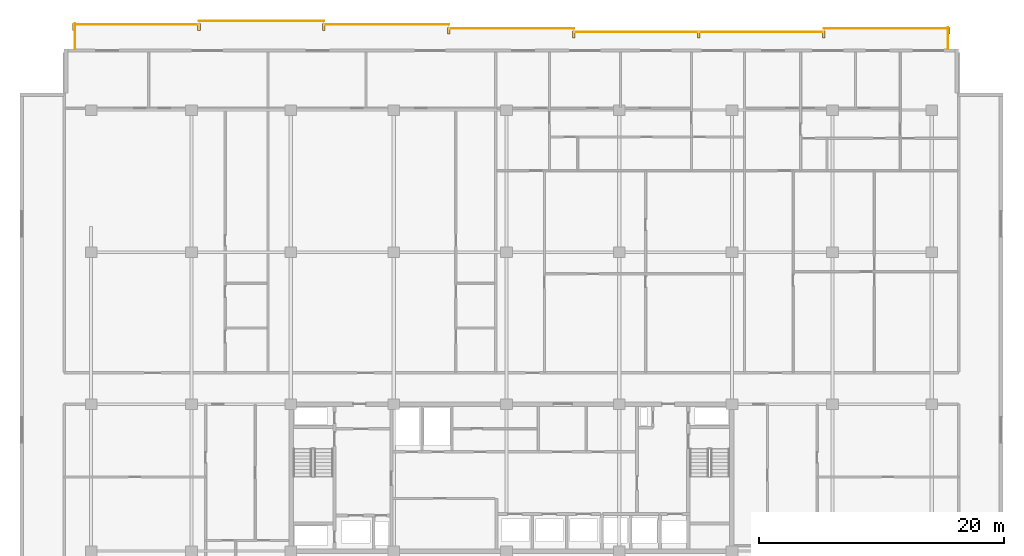
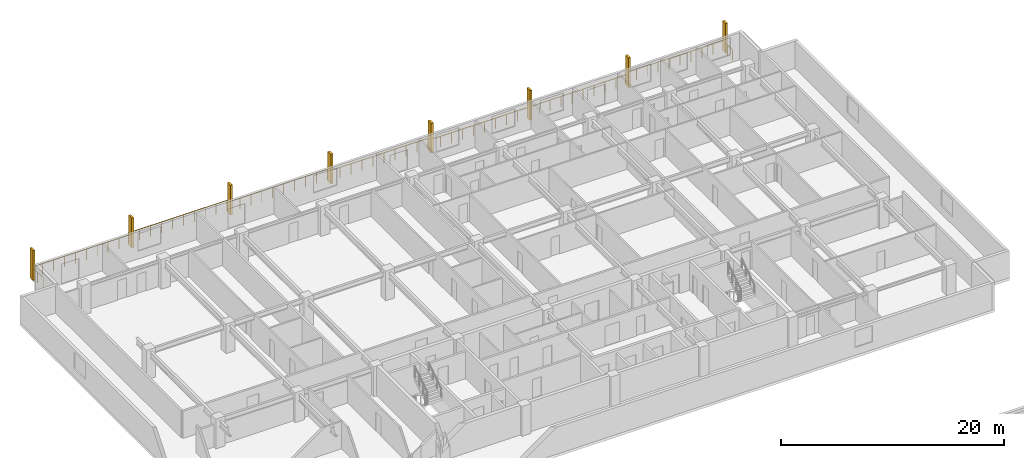
# One storey, part 22 of 22: 8 railings, 8 shading devices.
"""IFC4 building model written with IfcOpenShell, lengths in metres."""

from ifc_helpers import new_model, si_unit, direction, frame, origin, origin_2d, place, context, subcontext, project, spatial, rectangle, circle, extrude, material, type_object, element, save


model = new_model("IFC4")

# Units and contexts
model_context = context("Model", 3, precision=1e-05, world=origin(), true_north=direction((0.0, 1.0)))
body_context = subcontext(model_context, "Body", "Model", "MODEL_VIEW")
ifc_project = project(units=[si_unit("LENGTHUNIT", "METRE"), si_unit("AREAUNIT", "SQUARE_METRE"), si_unit("VOLUMEUNIT", "CUBIC_METRE"), si_unit("PLANEANGLEUNIT", "RADIAN"), si_unit("MASSUNIT", "GRAM", prefix="KILO")], contexts=[model_context])

# Site, building, storey
site_placement = place(None, origin())
site = spatial("IfcSite", under=ifc_project, at=site_placement, CompositionType="ELEMENT")
building_placement = place(site_placement, origin())
building = spatial("IfcBuilding", under=site, at=building_placement, Name="Korimba Cascade Residences", CompositionType="ELEMENT")
storey_placement = place(building_placement, frame((0.0, 0.0, 132.800048828125)))
storey = spatial("IfcBuildingStorey", under=building, at=storey_placement, Name="L38", CompositionType="ELEMENT", Elevation=132.800048828125)

# Railings
ifc_material_1 = material(Name="Laminated Glass and Bronze Balustrade", Category="glass")
railing_type = type_object("IfcRailingType", Name="RLG-LOG-1150", PredefinedType="BALUSTRADE", material=ifc_material_1)
railing_1_placement = place(storey_placement, frame((129.719970703125, 96.199951171875, 0.0)))
element("IfcRailing", 1, at=railing_1_placement, inside=storey, type_object=railing_type, Name="L38 Perimeter Guardrail RLG-L38-T1-LOG-01", PredefinedType="BALUSTRADE", context=body_context, shape_type="SweptSolid", body=[
    extrude(circle(Radius=0.02392578125, at=origin_2d()), frame((0.0, 0.0, 1.1259765625), z_axis=(0.0, 1.0, 0.0), x_axis=(-1.0, 0.0, 0.0)), (0.0, 0.0, 1.0), 1.75),
    extrude(circle(Radius=0.02099609375, at=origin_2d()), origin(), (0.0, 0.0, 1.0), 1.101806640625),
    extrude(circle(Radius=0.02099609375, at=origin_2d()), frame((0.0, 0.875, 0.0)), (0.0, 0.0, 1.0), 1.101806640625),
    extrude(circle(Radius=0.02099609375, at=origin_2d()), frame((0.0, 1.75, 0.0)), (0.0, 0.0, 1.0), 1.101806640625),
])
railing_2_placement = place(storey_placement, frame((129.800048828125, 97.8701171875, 0.0)))
element("IfcRailing", 2, at=railing_2_placement, inside=storey, type_object=railing_type, Name="L38 Perimeter Guardrail RLG-L38-T1-LOG-02", PredefinedType="BALUSTRADE", context=body_context, shape_type="SweptSolid", body=[
    extrude(circle(Radius=0.02392578125, at=origin_2d()), frame((0.0, 0.0, 1.1259765625), z_axis=(-1.0, 0.0, 0.0), x_axis=(0.0, -1.0, 0.0)), (0.0, 0.0, 1.0), 10.199951171875),
    extrude(circle(Radius=0.02099609375, at=origin_2d()), origin(), (0.0, 0.0, 1.0), 1.101806640625),
    extrude(circle(Radius=0.02099609375, at=origin_2d()), frame((-1.13330078125, 0.0, 0.0)), (0.0, 0.0, 1.0), 1.101806640625),
    extrude(circle(Radius=0.02099609375, at=origin_2d()), frame((-2.2666015625, 0.0, 0.0)), (0.0, 0.0, 1.0), 1.101806640625),
    extrude(circle(Radius=0.02099609375, at=origin_2d()), frame((-3.39990234375, 0.0, 0.0)), (0.0, 0.0, 1.0), 1.101806640625),
    extrude(circle(Radius=0.02099609375, at=origin_2d()), frame((-4.533203125, 0.0, 0.0)), (0.0, 0.0, 1.0), 1.101806640625),
    extrude(circle(Radius=0.02099609375, at=origin_2d()), frame((-5.666748046875, 0.0, 0.0)), (0.0, 0.0, 1.0), 1.101806640625),
    extrude(circle(Radius=0.02099609375, at=origin_2d()), frame((-6.800048828125, 0.0, 0.0)), (0.0, 0.0, 1.0), 1.101806640625),
    extrude(circle(Radius=0.02099609375, at=origin_2d()), frame((-7.933349609375, 0.0, 0.0)), (0.0, 0.0, 1.0), 1.101806640625),
    extrude(circle(Radius=0.02099609375, at=origin_2d()), frame((-9.066650390625, 0.0, 0.0)), (0.0, 0.0, 1.0), 1.101806640625),
    extrude(circle(Radius=0.02099609375, at=origin_2d()), frame((-10.199951171875, 0.0, 0.0)), (0.0, 0.0, 1.0), 1.101806640625),
])
railing_3_placement = place(storey_placement, frame((119.60009765625, 97.570068359375, 0.0)))
element("IfcRailing", 3, at=railing_3_placement, inside=storey, type_object=railing_type, Name="L38 Perimeter Guardrail RLG-L38-T1-LOG-03", PredefinedType="BALUSTRADE", context=body_context, shape_type="SweptSolid", body=[
    extrude(circle(Radius=0.02392578125, at=origin_2d()), frame((0.0, 0.0, 1.1259765625), z_axis=(-1.0, 0.0, 0.0), x_axis=(0.0, -1.0, 0.0)), (0.0, 0.0, 1.0), 20.400146484375),
    extrude(circle(Radius=0.02099609375, at=origin_2d()), origin(), (0.0, 0.0, 1.0), 1.101806640625),
    extrude(circle(Radius=0.02099609375, at=origin_2d()), frame((-1.13330078125, 0.0, 0.0)), (0.0, 0.0, 1.0), 1.101806640625),
    extrude(circle(Radius=0.02099609375, at=origin_2d()), frame((-2.2666015625, 0.0, 0.0)), (0.0, 0.0, 1.0), 1.101806640625),
    extrude(circle(Radius=0.02099609375, at=origin_2d()), frame((-3.39990234375, 0.0, 0.0)), (0.0, 0.0, 1.0), 1.101806640625),
    extrude(circle(Radius=0.02099609375, at=origin_2d()), frame((-4.533447265625, 0.0, 0.0)), (0.0, 0.0, 1.0), 1.101806640625),
    extrude(circle(Radius=0.02099609375, at=origin_2d()), frame((-5.666748046875, 0.0, 0.0)), (0.0, 0.0, 1.0), 1.101806640625),
    extrude(circle(Radius=0.02099609375, at=origin_2d()), frame((-6.800048828125, 0.0, 0.0)), (0.0, 0.0, 1.0), 1.101806640625),
    extrude(circle(Radius=0.02099609375, at=origin_2d()), frame((-7.933349609375, 0.0, 0.0)), (0.0, 0.0, 1.0), 1.101806640625),
    extrude(circle(Radius=0.02099609375, at=origin_2d()), frame((-9.066650390625, 0.0, 0.0)), (0.0, 0.0, 1.0), 1.101806640625),
    extrude(circle(Radius=0.02099609375, at=origin_2d()), frame((-10.2001953125, 0.0, 0.0)), (0.0, 0.0, 1.0), 1.101806640625),
    extrude(circle(Radius=0.02099609375, at=origin_2d()), frame((-11.33349609375, 0.0, 0.0)), (0.0, 0.0, 1.0), 1.101806640625),
    extrude(circle(Radius=0.02099609375, at=origin_2d()), frame((-12.466796875, 0.0, 0.0)), (0.0, 0.0, 1.0), 1.101806640625),
    extrude(circle(Radius=0.02099609375, at=origin_2d()), frame((-13.60009765625, 0.0, 0.0)), (0.0, 0.0, 1.0), 1.101806640625),
    extrude(circle(Radius=0.02099609375, at=origin_2d()), frame((-14.7333984375, 0.0, 0.0)), (0.0, 0.0, 1.0), 1.101806640625),
    extrude(circle(Radius=0.02099609375, at=origin_2d()), frame((-15.86669921875, 0.0, 0.0)), (0.0, 0.0, 1.0), 1.101806640625),
    extrude(circle(Radius=0.02099609375, at=origin_2d()), frame((-17.0, 0.0, 0.0)), (0.0, 0.0, 1.0), 1.101806640625),
    extrude(circle(Radius=0.02099609375, at=origin_2d()), frame((-18.133544921875, 0.0, 0.0)), (0.0, 0.0, 1.0), 1.101806640625),
    extrude(circle(Radius=0.02099609375, at=origin_2d()), frame((-19.266845703125, 0.0, 0.0)), (0.0, 0.0, 1.0), 1.101806640625),
    extrude(circle(Radius=0.02099609375, at=origin_2d()), frame((-20.400146484375, 0.0, 0.0)), (0.0, 0.0, 1.0), 1.101806640625),
])
for number, where, name in (
    (4, (99.199951171875, 97.8701171875, 0.0), "L38 Perimeter Guardrail RLG-L38-T1-LOG-04"),
    (5, (89.0, 98.169921875, 0.0), "L38 Perimeter Guardrail RLG-L38-T1-LOG-05"),
    (6, (78.800048828125, 98.469970703125, 0.0), "L38 Perimeter Guardrail RLG-L38-T1-LOG-06"),
):
    element("IfcRailing", number, at=place(storey_placement, frame(where)), inside=storey, type_object=railing_type, Name=name, PredefinedType="BALUSTRADE", context=body_context, shape_type="SweptSolid", body=[
        extrude(circle(Radius=0.02392578125, at=origin_2d()), frame((0.0, 0.0, 1.1259765625), z_axis=(-1.0, 0.0, 0.0), x_axis=(0.0, -1.0, 0.0)), (0.0, 0.0, 1.0), 10.199951171875),
        extrude(circle(Radius=0.02099609375, at=origin_2d()), origin(), (0.0, 0.0, 1.0), 1.101806640625),
        extrude(circle(Radius=0.02099609375, at=origin_2d()), frame((-1.13330078125, 0.0, 0.0)), (0.0, 0.0, 1.0), 1.101806640625),
        extrude(circle(Radius=0.02099609375, at=origin_2d()), frame((-2.2666015625, 0.0, 0.0)), (0.0, 0.0, 1.0), 1.101806640625),
        extrude(circle(Radius=0.02099609375, at=origin_2d()), frame((-3.39990234375, 0.0, 0.0)), (0.0, 0.0, 1.0), 1.101806640625),
        extrude(circle(Radius=0.02099609375, at=origin_2d()), frame((-4.533203125, 0.0, 0.0)), (0.0, 0.0, 1.0), 1.101806640625),
        extrude(circle(Radius=0.02099609375, at=origin_2d()), frame((-5.666748046875, 0.0, 0.0)), (0.0, 0.0, 1.0), 1.101806640625),
        extrude(circle(Radius=0.02099609375, at=origin_2d()), frame((-6.800048828125, 0.0, 0.0)), (0.0, 0.0, 1.0), 1.101806640625),
        extrude(circle(Radius=0.02099609375, at=origin_2d()), frame((-7.933349609375, 0.0, 0.0)), (0.0, 0.0, 1.0), 1.101806640625),
        extrude(circle(Radius=0.02099609375, at=origin_2d()), frame((-9.066650390625, 0.0, 0.0)), (0.0, 0.0, 1.0), 1.101806640625),
        extrude(circle(Radius=0.02099609375, at=origin_2d()), frame((-10.199951171875, 0.0, 0.0)), (0.0, 0.0, 1.0), 1.101806640625),
    ])
railing_4_placement = place(storey_placement, frame((68.60009765625, 98.169921875, 0.0)))
element("IfcRailing", 7, at=railing_4_placement, inside=storey, type_object=railing_type, Name="L38 Perimeter Guardrail RLG-L38-T1-LOG-07", PredefinedType="BALUSTRADE", context=body_context, shape_type="SweptSolid", body=[
    extrude(circle(Radius=0.02392578125, at=origin_2d()), frame((0.0, 0.0, 1.1259765625), z_axis=(-1.0, 0.0, 0.0), x_axis=(0.0, -1.0, 0.0)), (0.0, 0.0, 1.0), 10.2001953125),
    extrude(circle(Radius=0.02099609375, at=origin_2d()), origin(), (0.0, 0.0, 1.0), 1.101806640625),
    extrude(circle(Radius=0.02099609375, at=origin_2d()), frame((-1.13330078125, 0.0, 0.0)), (0.0, 0.0, 1.0), 1.101806640625),
    extrude(circle(Radius=0.02099609375, at=origin_2d()), frame((-2.2666015625, 0.0, 0.0)), (0.0, 0.0, 1.0), 1.101806640625),
    extrude(circle(Radius=0.02099609375, at=origin_2d()), frame((-3.400146484375, 0.0, 0.0)), (0.0, 0.0, 1.0), 1.101806640625),
    extrude(circle(Radius=0.02099609375, at=origin_2d()), frame((-4.533447265625, 0.0, 0.0)), (0.0, 0.0, 1.0), 1.101806640625),
    extrude(circle(Radius=0.02099609375, at=origin_2d()), frame((-5.666748046875, 0.0, 0.0)), (0.0, 0.0, 1.0), 1.101806640625),
    extrude(circle(Radius=0.02099609375, at=origin_2d()), frame((-6.800048828125, 0.0, 0.0)), (0.0, 0.0, 1.0), 1.101806640625),
    extrude(circle(Radius=0.02099609375, at=origin_2d()), frame((-7.93359375, 0.0, 0.0)), (0.0, 0.0, 1.0), 1.101806640625),
    extrude(circle(Radius=0.02099609375, at=origin_2d()), frame((-9.06689453125, 0.0, 0.0)), (0.0, 0.0, 1.0), 1.101806640625),
    extrude(circle(Radius=0.02099609375, at=origin_2d()), frame((-10.2001953125, 0.0, 0.0)), (0.0, 0.0, 1.0), 1.101806640625),
])
railing_5_placement = place(storey_placement, frame((58.47998046875, 98.25, 0.0)))
element("IfcRailing", 8, at=railing_5_placement, inside=storey, type_object=railing_type, Name="L38 Perimeter Guardrail RLG-L38-T1-LOG-08", PredefinedType="BALUSTRADE", context=body_context, shape_type="SweptSolid", body=[
    extrude(circle(Radius=0.02392578125, at=origin_2d()), frame((0.0, 0.0, 1.1259765625), z_axis=(0.0, -1.0, 0.0), x_axis=(1.0, 0.0, 0.0)), (0.0, 0.0, 1.0), 2.050048828125),
    extrude(circle(Radius=0.02099609375, at=origin_2d()), origin(), (0.0, 0.0, 1.0), 1.101806640625),
    extrude(circle(Radius=0.02099609375, at=origin_2d()), frame((0.0, -1.02490234375, 0.0)), (0.0, 0.0, 1.0), 1.101806640625),
    extrude(circle(Radius=0.02099609375, at=origin_2d()), frame((0.0, -2.050048828125, 0.0)), (0.0, 0.0, 1.0), 1.101806640625),
])

# Shading devices
ifc_material_2 = material(Name="Honed Sandstone Precast Fin", Category="masonry")
shading_device_type = type_object("IfcShadingDeviceType", Name="SHD-FIN-550", PredefinedType="USERDEFINED", material=ifc_material_2)
for number, where, z_axis, x_axis, name in (
    (9, (58.39990234375, 97.97509765625, 0.0), (0.0, 0.0, 1.0), (1.0, 0.0, 0.0), "L38 T1 Warm-Stone Loggia Fin 1"),
    (10, (68.60009765625, 97.97509765625, 0.0), (0.0, 0.0, 1.0), (1.0, 0.0, 0.0), "L38 T1 Warm-Stone Loggia Fin 2"),
    (11, (78.800048828125, 97.97509765625, 0.0), (0.0, 0.0, 1.0), (1.0, 0.0, 0.0), "L38 T1 Warm-Stone Loggia Fin 3"),
    (12, (89.0, 97.675048828125, 0.0), (0.0, 0.0, 1.0), (1.0, 0.0, 0.0), "L38 T1 Warm-Stone Loggia Fin 4"),
    (13, (99.199951171875, 97.375, 0.0), (0.0, 0.0, 1.0), (1.0, 0.0, 0.0), "L38 T1 Warm-Stone Loggia Fin 5"),
    (14, (109.39990234375, 97.375, 0.0), (0.0, 0.0, 1.0), (1.0, 0.0, 0.0), "L38 T1 Warm-Stone Loggia Fin 6"),
    (15, (119.60009765625, 97.375, 0.0), (0.0, 0.0, 1.0), (1.0, 0.0, 0.0), "L38 T1 Warm-Stone Loggia Fin 7"),
    (16, (129.800048828125, 97.675048828125, 0.0), (0.0, 0.0, 1.0), (1.0, 0.0, 0.0), "L38 T1 Warm-Stone Loggia Fin 8"),
):
    element("IfcShadingDevice", number, at=place(storey_placement, frame(where, z_axis=z_axis, x_axis=x_axis)), inside=storey, type_object=shading_device_type, Name=name, ObjectType="FIN", PredefinedType="USERDEFINED", context=body_context, shape_type="SweptSolid", body=[
        extrude(rectangle(XDim=0.219970703125, YDim=0.550048828125, at=origin_2d()), origin(), (0.0, 0.0, 1.0), 3.25),
    ])

save(model, "model.ifc")
